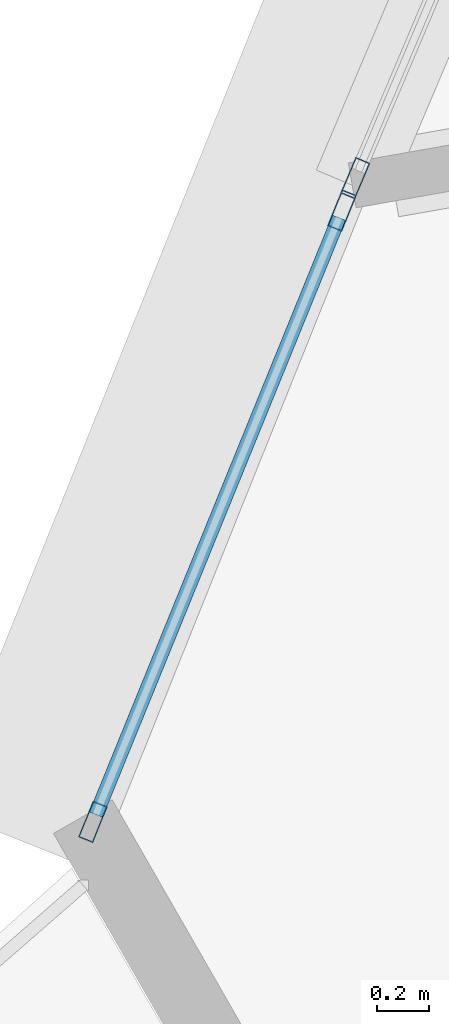
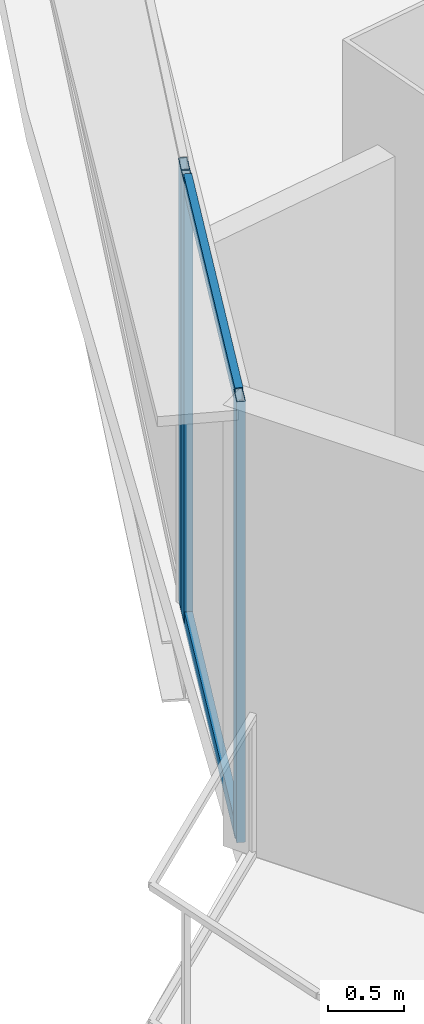
# One storey, part 4 of 37: 5 members, 2 elements without a shape of their own.
"""IFC4 building model written with IfcOpenShell, lengths in metres."""

from ifc_helpers import new_model, si_unit, direction, frame, origin, origin_2d, place, context, subcontext, project, spatial, hollow_rectangle, extrude, source, transform, mapped, material, layer, layer_set, material_profile, profile_set, type_object, element, aggregate, save


model = new_model("IFC4")

# Units and contexts
model_context = context("Model", 3, precision=1e-05, world=origin(), true_north=direction((0.0, 1.0)))
body_context = subcontext(model_context, "Body", "Model", "MODEL_VIEW")
ifc_project = project(units=[si_unit("LENGTHUNIT", "METRE"), si_unit("AREAUNIT", "SQUARE_METRE"), si_unit("VOLUMEUNIT", "CUBIC_METRE"), si_unit("PLANEANGLEUNIT", "RADIAN"), si_unit("MASSUNIT", "GRAM", prefix="KILO"), si_unit("THERMODYNAMICTEMPERATUREUNIT", "KELVIN"), si_unit("POWERUNIT", "WATT")], contexts=[model_context])

# Site, building, storey
site_placement = place(None, origin())
site = spatial("IfcSite", under=ifc_project, at=site_placement, CompositionType="ELEMENT")
building_placement = place(site_placement, origin())
building = spatial("IfcBuilding", under=site, at=building_placement, Name="Yunzhuo Pagoda Commons", CompositionType="ELEMENT")
storey_placement = place(building_placement, frame((0.0, 0.0, 199.9599609375)))
storey = spatial("IfcBuildingStorey", under=building, at=storey_placement, Name="L50", CompositionType="ELEMENT", Elevation=199.9599609375)

# Curtain wall, member
ifc_material = material(Name="Anodized aluminium 6063-T6", Category="aluminium")
ifc_layer = layer(ifc_material, 0.14990234375)
ifc_layer_set = layer_set([ifc_layer], Name="Anodized aluminium 6063-T6")
curtain_wall_type = type_object("IfcCurtainWallType", Name="CW-MID Mid-Zone Ribbon Curtain Wall", PredefinedType="NOTDEFINED", material=ifc_layer_set)
curtain_wall_1_placement = place(storey_placement, origin())
curtain_wall_1 = element("IfcCurtainWall", 1, at=curtain_wall_1_placement, inside=storey, type_object=curtain_wall_type, Name="L50 curtain wall CW-L50-F3B4", PredefinedType="NOTDEFINED")
ifc_material_profile_1 = material_profile(ifc_material, hollow_rectangle(XDim=0.06005859375, YDim=0.14990234375, WallThickness=0.00390625, at=origin_2d()), Name="Anodized aluminium 6063-T6")
ifc_profile_set_1 = profile_set([ifc_material_profile_1], Name="Anodized aluminium 6063-T6")
member_type_1 = type_object("IfcMemberType", Name="CW-MID-M Mullion RHS 150x60x4", PredefinedType="MULLION", material=ifc_profile_set_1)
shared_shape_1 = source(origin(), body_context, "Body", "SweptSolid", [
    extrude(hollow_rectangle(XDim=0.06005859375, YDim=0.14990234375, WallThickness=0.00390625, at=origin_2d()), origin(), (0.0, 0.0, 1.0), 3.5400390625),
])
member_1_placement = place(storey_placement, frame((10.658203125, 27.14111328125, 0.0), z_axis=(0.0, 0.0, 1.0), x_axis=(0.920666607247, -0.390349840912, 0.0)))
member_1 = element("IfcMember", 2, at=member_1_placement, type_object=member_type_1, Name="CW mullion 2", PredefinedType="MULLION", context=body_context, shape_type="MappedRepresentation", body=[
    mapped(shared_shape_1, transform((0.0, 0.0, 0.0), scale=1.0)),
])
aggregate(curtain_wall_1, [member_1])

# Curtain wall, members
curtain_wall_2_placement = place(storey_placement, origin())
curtain_wall_2 = element("IfcCurtainWall", 3, at=curtain_wall_2_placement, inside=storey, type_object=curtain_wall_type, Name="L50 curtain wall CW-L50-F3B5", PredefinedType="NOTDEFINED")
member_2_placement = place(storey_placement, frame((10.60693359375, 27.016357421875, 0.0), z_axis=(0.0, 0.0, 1.0), x_axis=(0.926070937911, -0.377349463967, 0.0)))
member_2 = element("IfcMember", 4, at=member_2_placement, type_object=member_type_1, Name="CW mullion 1", PredefinedType="MULLION", context=body_context, shape_type="MappedRepresentation", body=[
    mapped(shared_shape_1, transform((0.0, 0.0, 0.0), scale=1.0)),
])
member_3_placement = place(storey_placement, frame((9.6494140625, 24.666015625, 0.0), z_axis=(0.0, 0.0, 1.0), x_axis=(0.926070937911, -0.377349463967, 0.0)))
member_3 = element("IfcMember", 5, at=member_3_placement, type_object=member_type_1, Name="CW mullion 2", PredefinedType="MULLION", context=body_context, shape_type="MappedRepresentation", body=[
    mapped(shared_shape_1, transform((0.0, 0.0, 0.0), scale=1.0)),
])
ifc_material_profile_2 = material_profile(ifc_material, hollow_rectangle(XDim=0.054931640625, YDim=0.1298828125, WallThickness=0.00341796875, at=origin_2d()), Name="Anodized aluminium 6063-T6")
ifc_profile_set_2 = profile_set([ifc_material_profile_2], Name="Anodized aluminium 6063-T6")
member_type_2 = type_object("IfcMemberType", Name="CW-MID-T Transom RHS 130x55x3.5", PredefinedType="USERDEFINED", material=ifc_profile_set_2)
shared_shape_2 = source(origin(), body_context, "Body", "SweptSolid", [
    extrude(hollow_rectangle(XDim=0.054931640625, YDim=0.1298828125, WallThickness=0.00341796875, at=origin_2d()), origin(), (0.0, 0.0, 1.0), 2.477783203125),
])
member_4_placement = place(storey_placement, frame((10.595703125, 26.988525390625, 0.027587890625), z_axis=(-0.377278108242, -0.92610001028, 0.0), x_axis=(0.92610001028, -0.377278108242, 0.0)))
member_4 = element("IfcMember", 6, at=member_4_placement, type_object=member_type_2, Name="CW transom 1.1", ObjectType="TRANSOM", PredefinedType="USERDEFINED", context=body_context, shape_type="MappedRepresentation", body=[
    mapped(shared_shape_2, transform((0.0, 0.0, 0.0), scale=1.0)),
])
member_5_placement = place(storey_placement, frame((10.595703125, 26.988525390625, 3.512451171875), z_axis=(-0.377278108242, -0.92610001028, 0.0), x_axis=(0.92610001028, -0.377278108242, 0.0)))
member_5 = element("IfcMember", 7, at=member_5_placement, type_object=member_type_2, Name="CW transom 1.2", ObjectType="TRANSOM", PredefinedType="USERDEFINED", context=body_context, shape_type="MappedRepresentation", body=[
    mapped(shared_shape_2, transform((0.0, 0.0, 0.0), scale=1.0)),
])
aggregate(curtain_wall_2, [member_2, member_3, member_4, member_5])

save(model, "model.ifc")
